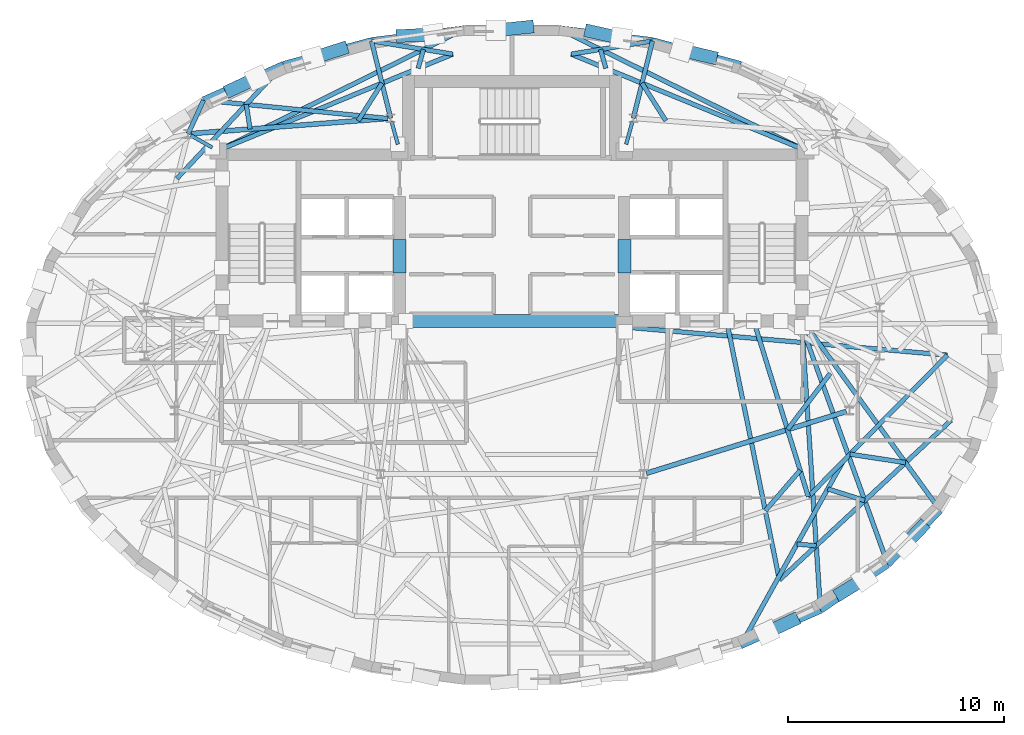
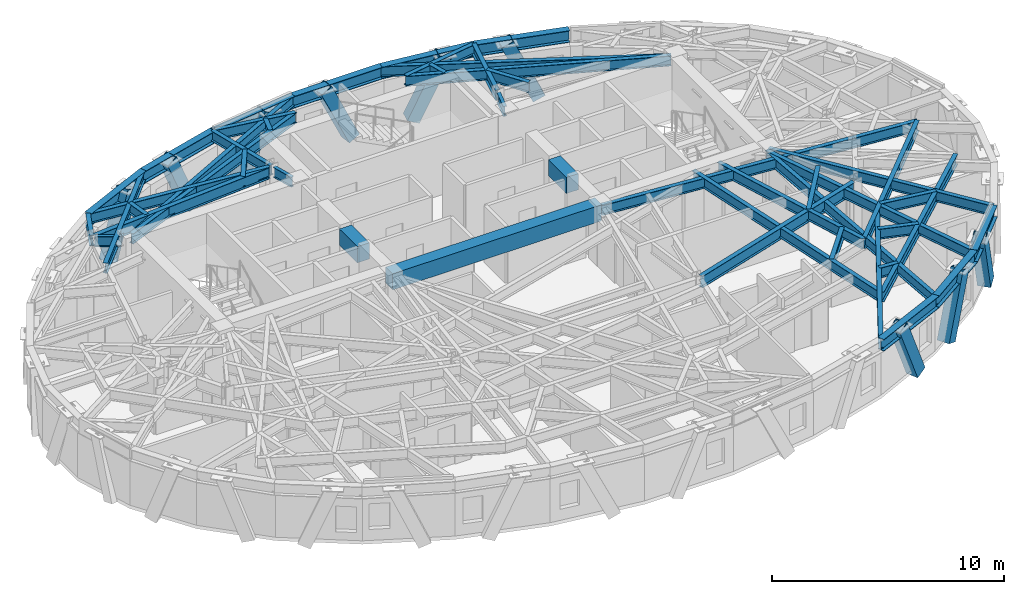
# One storey, part 3 of 12: 47 beams, 9 members.
"""IFC4 building model written with IfcOpenShell, lengths in metres."""

import ifcopenshell
import ifcopenshell.guid

model = None  # the IFC model being written
_history = None  # IfcOwnerHistory: only IFC2X3 demands one
_inside = {}  # id of a spatial element -> (the spatial element, [elements in it])
_under = {}  # id of a project, library or spatial element -> (it, [spatial elements below it])
_declared = {}  # id of a project -> (the project, [libraries it declares])
_typed = {}  # id of a type object -> (the type object, [elements of that type])
_made_of = {}  # id of a material, layer set ... -> (it, [elements and type objects made of it])


def new_model(schema):
    """Start an empty IFC model of exactly this schema.

    Asked for "IFC4X3", IfcOpenShell would pick the latest addendum, in which some entities
    have other attributes; the version numbers below select the first issue.
    IFC2X3 requires an IfcOwnerHistory on every rooted entity: one is made here for all.
    """
    global model, _history
    if schema == "IFC4X3":
        model = ifcopenshell.file(schema_version=(4, 3, 0, 0))
    else:
        model = ifcopenshell.file(schema=schema)
    _inside.clear()
    _under.clear()
    _declared.clear()
    _typed.clear()
    _made_of.clear()
    _history = None
    if model.schema == "IFC2X3":
        org = make("IfcOrganization", Name="unknown")
        user = make(
            "IfcPersonAndOrganization",
            ThePerson=make("IfcPerson", FamilyName="unknown"),
            TheOrganization=org,
        )
        app = make(
            "IfcApplication",
            ApplicationDeveloper=org,
            Version="unknown",
            ApplicationFullName="unknown",
            ApplicationIdentifier="unknown",
        )
        _history = make(
            "IfcOwnerHistory",
            OwningUser=user,
            OwningApplication=app,
            ChangeAction="ADDED",
            CreationDate=0,
        )
    return model


def make(cls, **values):
    """One entity of the class cls with the attributes given. An attribute that is None is left unset."""
    return model.create_entity(
        cls, **{name: value for name, value in values.items() if value is not None}
    )


def rooted(cls, **values):
    """An entity with a GlobalId (a new one), such as an element, a storey or a relation."""
    return make(cls, GlobalId=ifcopenshell.guid.new(), OwnerHistory=_history, **values)


def si_unit(unit_type, name, prefix=None):
    """IfcSIUnit, for example si_unit("LENGTHUNIT", "METRE", prefix="MILLI")."""
    return make("IfcSIUnit", UnitType=unit_type, Prefix=prefix, Name=name)


def assignment(units):
    """IfcUnitAssignment: the units of a project."""
    return None if units is None else make("IfcUnitAssignment", Units=units)


def point(xyz):
    """IfcCartesianPoint."""
    return None if xyz is None else make("IfcCartesianPoint", Coordinates=xyz)


def direction(xyz):
    """IfcDirection."""
    return None if xyz is None else make("IfcDirection", DirectionRatios=xyz)


def frame(location, z_axis=None, x_axis=None):
    """IfcAxis2Placement3D, a coordinate frame: its origin and axes. An axis left out is left unset."""
    return make(
        "IfcAxis2Placement3D",
        Location=point(location),
        Axis=direction(z_axis),
        RefDirection=direction(x_axis),
    )


def frame_2d(location, x_axis=None):
    """IfcAxis2Placement2D, a coordinate frame in the plane: its origin and x axis."""
    return make(
        "IfcAxis2Placement2D", Location=point(location), RefDirection=direction(x_axis)
    )


def origin():
    """The frame at (0, 0, 0) with its axes left unset."""
    return frame((0.0, 0.0, 0.0))


def origin_2d():
    """The frame at (0, 0) in the plane with its x axis left unset."""
    return frame_2d((0.0, 0.0))


def place(relative_to, where):
    """IfcLocalPlacement: puts the frame where relative to a parent placement (None: the world)."""
    return make(
        "IfcLocalPlacement", PlacementRelTo=relative_to, RelativePlacement=where
    )


def context(
    kind, dimensions, precision=None, world=None, true_north=None, identifier=None
):
    """IfcGeometricRepresentationContext, for example the 3D "Model" context."""
    return make(
        "IfcGeometricRepresentationContext",
        ContextIdentifier=identifier,
        ContextType=kind,
        CoordinateSpaceDimension=dimensions,
        Precision=precision,
        WorldCoordinateSystem=world,
        TrueNorth=true_north,
    )


def subcontext(parent, identifier, kind, view, scale=None):
    """IfcGeometricRepresentationSubContext, for example "Body" below "Model"."""
    return make(
        "IfcGeometricRepresentationSubContext",
        ContextIdentifier=identifier,
        ContextType=kind,
        ParentContext=parent,
        TargetScale=scale,
        TargetView=view,
    )


def project(units=None, contexts=None):
    """IfcProject with its units and contexts."""
    return rooted(
        "IfcProject",
        Name="project",
        RepresentationContexts=contexts,
        UnitsInContext=assignment(units),
    )


def spatial(cls, under=None, at=None, **own):
    """A site, building, storey or space (cls), placed at a placement, below another one or the project."""
    s = rooted(cls, ObjectPlacement=at, **own)
    if under is not None:
        _under.setdefault(under.id(), (under, []))[1].append(s)
    return s


def profile(cls, at=None, kind="AREA", **sizes):
    """A parametric profile (cls). Its sizes go by their IFC names, for example OverallWidth=200.0."""
    return make(cls, ProfileType=kind, Position=at, **sizes)


def rectangle(**sizes):
    """IfcRectangleProfileDef."""
    return profile("IfcRectangleProfileDef", **sizes)


def hollow_rectangle(**sizes):
    """IfcRectangleHollowProfileDef."""
    return profile("IfcRectangleHollowProfileDef", **sizes)


def i_section(**sizes):
    """IfcIShapeProfileDef."""
    return profile("IfcIShapeProfileDef", **sizes)


def extrude(swept, where, along, depth):
    """IfcExtrudedAreaSolid: the profile swept, set in the frame where, extruded along a direction by depth."""
    return make(
        "IfcExtrudedAreaSolid",
        SweptArea=swept,
        Position=where,
        ExtrudedDirection=direction(along),
        Depth=depth,
    )


def shape(context_of_items, identifier, shape_type, items):
    """IfcShapeRepresentation: the items that make up one representation, for example the "Body"."""
    return make(
        "IfcShapeRepresentation",
        ContextOfItems=context_of_items,
        RepresentationIdentifier=identifier,
        RepresentationType=shape_type,
        Items=items,
    )


def material(Name=None, Category=None):
    """IfcMaterial."""
    return make("IfcMaterial", Name=Name, Category=Category)


def material_profile(
    of_material, cross_section, Name=None, Category=None, Priority=None
):
    """IfcMaterialProfile: a cross section and its material."""
    return make(
        "IfcMaterialProfile",
        Name=Name,
        Material=of_material,
        Profile=cross_section,
        Priority=Priority,
        Category=Category,
    )


def profile_set(profiles, Name=None, composite=None):
    """IfcMaterialProfileSet."""
    return make(
        "IfcMaterialProfileSet",
        Name=Name,
        MaterialProfiles=profiles,
        CompositeProfile=composite,
    )


def made_of(thing, what):
    """Note that an element or type object is made of a material, layer set ...; save() writes the relation."""
    if what is not None:
        _made_of.setdefault(what.id(), (what, []))[1].append(thing)
    return thing


def type_object(cls, material=None, **own):
    """A type object (cls), such as IfcWallType, which elements share."""
    return made_of(rooted(cls, **own), material)


def element(
    cls,
    number,
    at=None,
    inside=None,
    cuts=None,
    type_object=None,
    material=None,
    context=None,
    identifier="Body",
    shape_type=None,
    held_by="IfcProductDefinitionShape",
    body=None,
    shapes=None,
    **own,
):
    """One element of the class cls, such as IfcWall. Its Tag is "e" and its number.

    at: its placement. inside: the storey or other place that contains it. cuts: it is an
    opening in that element (IfcRelVoidsElement). A single representation is given by context,
    identifier, shape_type and body (its items); several are given by shapes. held_by: the class
    of the entity that holds the representations. save() writes the other relations.
    """
    e = rooted(cls, Tag="e%d" % number, ObjectPlacement=at, **own)
    if body is not None:
        shapes = [shape(context, identifier, shape_type, body)]
    if shapes is not None:
        e.Representation = make(held_by, Representations=shapes)
    if inside is not None:
        _inside.setdefault(inside.id(), (inside, []))[1].append(e)
    if cuts is not None:
        rooted(
            "IfcRelVoidsElement", RelatingBuildingElement=cuts, RelatedOpeningElement=e
        )
    if type_object is not None:
        _typed.setdefault(type_object.id(), (type_object, []))[1].append(e)
    return made_of(e, material)


def aggregate(whole, parts):
    """IfcRelAggregates: a whole, such as a stair, and the parts it consists of."""
    return rooted("IfcRelAggregates", RelatingObject=whole, RelatedObjects=parts)


def save(model, path):
    """Write the relations noted so far, then the file.

    IfcRelAggregates (storeys below a building ...), IfcRelContainedInSpatialStructure (elements
    in a storey), IfcRelDefinesByType, IfcRelAssociatesMaterial and IfcRelDeclares: one each for
    every whole, place, type object, material and project.
    """
    for whole, parts in _under.values():
        aggregate(whole, parts)
    for where, things in _inside.values():
        rooted(
            "IfcRelContainedInSpatialStructure",
            RelatedElements=things,
            RelatingStructure=where,
        )
    for kind, things in _typed.values():
        rooted("IfcRelDefinesByType", RelatedObjects=things, RelatingType=kind)
    for what, things in _made_of.values():
        rooted("IfcRelAssociatesMaterial", RelatedObjects=things, RelatingMaterial=what)
    for by, libraries in _declared.values():
        rooted("IfcRelDeclares", RelatingContext=by, RelatedDefinitions=libraries)
    model.write(path)


model = new_model("IFC4")

# Units and contexts
model_context = context("Model", 3, precision=1e-05, world=origin(), true_north=direction((0.0, 1.0)))
body_context = subcontext(model_context, "Body", "Model", "MODEL_VIEW")
ifc_project = project(units=[si_unit("LENGTHUNIT", "METRE"), si_unit("AREAUNIT", "SQUARE_METRE"), si_unit("VOLUMEUNIT", "CUBIC_METRE"), si_unit("PLANEANGLEUNIT", "RADIAN"), si_unit("MASSUNIT", "GRAM", prefix="KILO")], contexts=[model_context])

# Site, building, storey
site_placement = place(None, origin())
site = spatial("IfcSite", under=ifc_project, at=site_placement, CompositionType="ELEMENT")
building_placement = place(site_placement, origin())
building = spatial("IfcBuilding", under=site, at=building_placement, Name="Keldmark Tower", CompositionType="ELEMENT")
storey_placement = place(building_placement, frame((0.0, 0.0, 228.89990234375)))
storey = spatial("IfcBuildingStorey", under=building, at=storey_placement, Name="L64", CompositionType="ELEMENT", Elevation=228.89990234375)

# Beams
ifc_material_1 = material(Name="Concrete C50/60", Category="concrete")
ifc_material_profile_1 = material_profile(ifc_material_1, rectangle(XDim=0.60009765625, YDim=0.85009765625, at=origin_2d()), Name="RCB600X850")
ifc_profile_set_1 = profile_set([ifc_material_profile_1], Name="Concrete C50/60")
beam_type_1 = type_object("IfcBeamType", Name="Core Coupling Beam RCB600X850", PredefinedType="USERDEFINED", material=ifc_profile_set_1)
for number, where, z_axis, x_axis, name in (
    (1, (-5.199951171875, 3.800048828125, 2.545166015625), (0.0, 1.0, 0.0), (-1.0, 0.0, 0.0), "L64 West Core Coupling Beam"),
    (2, (5.199951171875, 3.800048828125, 2.545166015625), (0.0, 1.0, 0.0), (-1.0, 0.0, 0.0), "L64 East Core Coupling Beam"),
):
    element("IfcBeam", number, at=place(storey_placement, frame(where, z_axis=z_axis, x_axis=x_axis)), inside=storey, type_object=beam_type_1, Name=name, ObjectType="COUPLING BEAM", PredefinedType="USERDEFINED", context=body_context, shape_type="SweptSolid", body=[
        extrude(rectangle(XDim=0.60009765625, YDim=0.85009765625, at=origin_2d()), origin(), (0.0, 0.0, 1.0), 1.550048828125),
    ])
beam_1_placement = place(storey_placement, frame((-5.199951171875, 1.574951171875, 2.545166015625), z_axis=(1.0, 0.0, 0.0), x_axis=(0.0, 1.0, 0.0)))
element("IfcBeam", 3, at=beam_1_placement, inside=storey, type_object=beam_type_1, Name="L64 Central South Core Coupling Beam", ObjectType="COUPLING BEAM", PredefinedType="USERDEFINED", context=body_context, shape_type="SweptSolid", body=[
    extrude(rectangle(XDim=0.60009765625, YDim=0.85009765625, at=origin_2d()), origin(), (0.0, 0.0, 1.0), 10.39990234375),
])

# Members
ifc_material_2 = material(Name="Steel ASTM A572 Grade 50", Category="steel")
ifc_material_profile_2 = material_profile(ifc_material_2, hollow_rectangle(XDim=0.60009765625, YDim=0.60009765625, WallThickness=0.034912109375, at=origin_2d()), Name="BOX600X600X35")
ifc_profile_set_2 = profile_set([ifc_material_profile_2], Name="Steel ASTM A572 Grade 50")
member_type = type_object("IfcMemberType", Name="Diagrid Zone 4 Brace BOX600X600X35", PredefinedType="BRACE", material=ifc_profile_set_2)
member_1_placement = place(storey_placement, frame((9.2216796875, 13.79248046875, -0.260009765625), z_axis=(-0.40426064735, 0.096388533014, 0.909550757081), x_axis=(-0.231930198238, -0.972732431425, 0.0)))
element("IfcMember", 4, at=member_1_placement, inside=storey, type_object=member_type, Name="L64 Perimeter Diagrid Brace 03B", PredefinedType="BRACE", context=body_context, shape_type="SweptSolid", body=[
    extrude(hollow_rectangle(XDim=0.60009765625, YDim=0.60009765625, WallThickness=0.034912109375, at=origin_2d()), origin(), (0.0, 0.0, 1.0), 3.41943359375),
])
member_2_placement = place(storey_placement, frame((3.640869140625, 14.9853515625, -0.260009765625), z_axis=(0.411077527519, -0.091983402417, 0.906947804479), x_axis=(0.218361844717, 0.975867872599, 0.0)))
element("IfcMember", 5, at=member_2_placement, inside=storey, type_object=member_type, Name="L64 Perimeter Diagrid Brace 04A", PredefinedType="BRACE", context=body_context, shape_type="SweptSolid", body=[
    extrude(hollow_rectangle(XDim=0.60009765625, YDim=0.60009765625, WallThickness=0.034912109375, at=origin_2d()), origin(), (0.0, 0.0, 1.0), 3.42919921875),
])
member_3_placement = place(storey_placement, frame((0.732421875, 15.18798828125, -0.260009765625), z_axis=(-0.426722319546, -0.044388197414, 0.903292726602), x_axis=(0.103463018698, -0.994633301153, 0.0)))
element("IfcMember", 6, at=member_3_placement, inside=storey, type_object=member_type, Name="L64 Perimeter Diagrid Brace 04B", PredefinedType="BRACE", context=body_context, shape_type="SweptSolid", body=[
    extrude(hollow_rectangle(XDim=0.60009765625, YDim=0.60009765625, WallThickness=0.034912109375, at=origin_2d()), origin(), (0.0, 0.0, 1.0), 3.443115234375),
])
member_4_placement = place(storey_placement, frame((-5.095947265625, 14.778076171875, -0.260009765625), z_axis=(0.427626468475, 0.021282007389, 0.903704973773), x_axis=(-0.049706231649, 0.998763881273, 0.0)))
element("IfcMember", 7, at=member_4_placement, inside=storey, type_object=member_type, Name="L64 Perimeter Diagrid Brace 05A", PredefinedType="BRACE", context=body_context, shape_type="SweptSolid", body=[
    extrude(hollow_rectangle(XDim=0.60009765625, YDim=0.60009765625, WallThickness=0.034912109375, at=origin_2d()), origin(), (0.0, 0.0, 1.0), 3.44140625),
])
member_5_placement = place(storey_placement, frame((-7.88037109375, 14.181884765625, -0.260009765625), z_axis=(-0.390454269369, -0.126978162028, 0.911823453252), x_axis=(0.30926345309, -0.950976401696, 0.0)))
element("IfcMember", 8, at=member_5_placement, inside=storey, type_object=member_type, Name="L64 Perimeter Diagrid Brace 05B", PredefinedType="BRACE", context=body_context, shape_type="SweptSolid", body=[
    extrude(hollow_rectangle(XDim=0.60009765625, YDim=0.60009765625, WallThickness=0.034912109375, at=origin_2d()), origin(), (0.0, 0.0, 1.0), 3.410888671875),
])
for number, where, z_axis, x_axis, name in (
    (9, (-12.999267578125, 12.275634765625, -0.260009765625), (0.356439110668, 0.166564378907, 0.919351656367), (-0.423357373066, 0.905962766713, 0.0), "L64 Perimeter Diagrid Brace 06A"),
    (10, (12.999267578125, -12.275634765625, -0.260009765625), (-0.356439110668, -0.166564378907, 0.919351656367), (0.423357373066, -0.905962766713, 0.0), "L64 Perimeter Diagrid Brace 14A"),
):
    element("IfcMember", number, at=place(storey_placement, frame(where, z_axis=z_axis, x_axis=x_axis)), inside=storey, type_object=member_type, Name=name, PredefinedType="BRACE", context=body_context, shape_type="SweptSolid", body=[
        extrude(hollow_rectangle(XDim=0.60009765625, YDim=0.60009765625, WallThickness=0.034912109375, at=origin_2d()), origin(), (0.0, 0.0, 1.0), 3.383056640625),
    ])
member_6_placement = place(storey_placement, frame((15.2392578125, -11.017333984375, -0.260009765625), z_axis=(0.322779112881, 0.200202927832, 0.925058069515), x_axis=(-0.527091568358, 0.849808495231, 0.0)))
element("IfcMember", 11, at=member_6_placement, inside=storey, type_object=member_type, Name="L64 Perimeter Diagrid Brace 14B", PredefinedType="BRACE", context=body_context, shape_type="SweptSolid", body=[
    extrude(hollow_rectangle(XDim=0.60009765625, YDim=0.60009765625, WallThickness=0.034912109375, at=origin_2d()), origin(), (0.0, 0.0, 1.0), 3.362060546875),
])
member_7_placement = place(storey_placement, frame((18.96142578125, -7.974365234375, -0.260009765625), z_axis=(-0.241254910751, -0.252655676351, 0.936995825629), x_axis=(0.72323603249, -0.690600927676, 0.0)))
element("IfcMember", 12, at=member_7_placement, inside=storey, type_object=member_type, Name="L64 Perimeter Diagrid Brace 15A", PredefinedType="BRACE", context=body_context, shape_type="SweptSolid", body=[
    extrude(hollow_rectangle(XDim=0.60009765625, YDim=0.60009765625, WallThickness=0.034912109375, at=origin_2d()), origin(), (0.0, 0.0, 1.0), 3.3193359375),
])

# Beams
ifc_material_3 = material(Name="Steel ASTM A992 Grade 50", Category="steel")
ifc_material_profile_3 = material_profile(ifc_material_3, i_section(OverallWidth=0.22802734375, OverallDepth=0.60302734375, WebThickness=0.010498046875, FlangeThickness=0.014892578125, at=origin_2d()), Name="W24X68")
ifc_profile_set_3 = profile_set([ifc_material_profile_3], Name="Steel ASTM A992 Grade 50")
beam_type_2 = type_object("IfcBeamType", Name="Primary Floor Girder W24X68", PredefinedType="BEAM", material=ifc_profile_set_3)
beam_2_placement = place(storey_placement, frame((-5.75830078125, 10.956298828125, 2.668701171875), z_axis=(-0.997037147832, -0.076921556421, 0.0), x_axis=(0.076921556421, -0.997037147832, 0.0)))
element("IfcBeam", 13, at=beam_2_placement, inside=storey, type_object=beam_type_2, Name="L64 Floor Ring Girder FG-R04", PredefinedType="BEAM", context=body_context, shape_type="SweptSolid", body=[
    extrude(i_section(OverallWidth=0.22802734375, OverallDepth=0.60302734375, WebThickness=0.010498046875, FlangeThickness=0.014892578125, at=origin_2d()), origin(), (0.0, 0.0, 1.0), 9.125),
])
beam_3_placement = place(storey_placement, frame((6.223388671875, -5.471435546875, 2.668701171875), z_axis=(0.955383255089, 0.295368982622, 0.0), x_axis=(-0.295368982622, 0.955383255089, 0.0)))
element("IfcBeam", 14, at=beam_3_placement, inside=storey, type_object=beam_type_2, Name="L64 Floor Ring Girder FG-R10", PredefinedType="BEAM", context=body_context, shape_type="SweptSolid", body=[
    extrude(i_section(OverallWidth=0.22802734375, OverallDepth=0.60302734375, WebThickness=0.010498046875, FlangeThickness=0.014892578125, at=origin_2d()), origin(), (0.0, 0.0, 1.0), 9.69140625),
])
ifc_material_4 = material(Name="Steel ASTM A992 Grade 50", Category="steel")
ifc_material_profile_4 = material_profile(ifc_material_4, i_section(OverallWidth=0.166015625, OverallDepth=0.529052734375, WebThickness=0.009765625, FlangeThickness=0.013671875, at=origin_2d()), Name="W21X50")
ifc_profile_set_4 = profile_set([ifc_material_profile_4], Name="Steel ASTM A992 Grade 50")
beam_type_3 = type_object("IfcBeamType", Name="Radial Tie Girder W21X50", PredefinedType="BEAM", material=ifc_profile_set_4)
for number, where, z_axis, x_axis, name in (
    (15, (5.581298828125, 10.83203125, 2.70556640625), (-0.265936023434, -0.963990680163, 0.0), (0.963990680163, -0.265936023434, 0.0), "L64 Floor Radial Girder FG-C03"),
    (16, (-5.581298828125, 10.83203125, 2.70556640625), (0.265936023434, -0.963990680163, 0.0), (0.963990680163, 0.265936023434, 0.0), "L64 Floor Radial Girder FG-C04"),
):
    element("IfcBeam", number, at=place(storey_placement, frame(where, z_axis=z_axis, x_axis=x_axis)), inside=storey, type_object=beam_type_3, Name=name, PredefinedType="BEAM", context=body_context, shape_type="SweptSolid", body=[
        extrude(i_section(OverallWidth=0.166015625, OverallDepth=0.529052734375, WebThickness=0.009765625, FlangeThickness=0.013671875, at=origin_2d()), origin(), (0.0, 0.0, 1.0), 1.113525390625),
    ])
beam_4_placement = place(storey_placement, frame((-14.8740234375, 10.174560546875, 2.70556640625), z_axis=(0.869238046195, -0.494393789451, 0.0), x_axis=(0.494393789451, 0.869238046195, 0.0)))
element("IfcBeam", 17, at=beam_4_placement, inside=storey, type_object=beam_type_3, Name="L64 Floor Radial Girder FG-C05", PredefinedType="BEAM", context=body_context, shape_type="SweptSolid", body=[
    extrude(i_section(OverallWidth=0.166015625, OverallDepth=0.529052734375, WebThickness=0.009765625, FlangeThickness=0.013671875, at=origin_2d()), origin(), (0.0, 0.0, 1.0), 1.145751953125),
])
ifc_material_5 = material(Name="Steel ASTM A992 Grade 50", Category="steel")
ifc_material_profile_5 = material_profile(ifc_material_5, i_section(OverallWidth=0.2099609375, OverallDepth=0.537109375, WebThickness=0.010986328125, FlangeThickness=0.017333984375, at=origin_2d()), Name="W21X68")
ifc_profile_set_5 = profile_set([ifc_material_profile_5], Name="Steel ASTM A992 Grade 50")
beam_type_4 = type_object("IfcBeamType", Name="Radial Tie Girder W21X68", PredefinedType="BEAM", material=ifc_profile_set_5)
beam_5_placement = place(storey_placement, frame((14.7392578125, -0.841796875, 2.70166015625), z_axis=(-0.605122917329, -0.796132058721, 0.0), x_axis=(0.796132058721, -0.605122917329, 0.0)))
element("IfcBeam", 18, at=beam_5_placement, inside=storey, type_object=beam_type_4, Name="L64 Framing Pin Header PH-005", PredefinedType="BEAM", context=body_context, shape_type="SweptSolid", body=[
    extrude(i_section(OverallWidth=0.2099609375, OverallDepth=0.537109375, WebThickness=0.010986328125, FlangeThickness=0.017333984375, at=origin_2d()), origin(), (0.0, 0.0, 1.0), 3.278564453125),
])
beam_6_placement = place(storey_placement, frame((11.19287109375, 1.574951171875, 2.70166015625), z_axis=(0.296814974353, -0.954935008783, 0.0), x_axis=(0.954935008783, 0.296814974353, 0.0)))
element("IfcBeam", 19, at=beam_6_placement, inside=storey, type_object=beam_type_4, Name="L64 Sub-Ring Step Girder STP1-M11", PredefinedType="BEAM", context=body_context, shape_type="SweptSolid", body=[
    extrude(i_section(OverallWidth=0.2099609375, OverallDepth=0.537109375, WebThickness=0.010986328125, FlangeThickness=0.017333984375, at=origin_2d()), origin(), (0.0, 0.0, 1.0), 8.51416015625),
])
beam_7_placement = place(storey_placement, frame((5.199951171875, 1.300048828125, 2.70166015625), z_axis=(0.996235095365, -0.086692760734, 0.0), x_axis=(0.086692760734, 0.996235095365, 0.0)))
element("IfcBeam", 20, at=beam_7_placement, inside=storey, type_object=beam_type_4, Name="L64 Sub-Ring Step Girder STP1-M12", PredefinedType="BEAM", context=body_context, shape_type="SweptSolid", body=[
    extrude(i_section(OverallWidth=0.2099609375, OverallDepth=0.537109375, WebThickness=0.010986328125, FlangeThickness=0.017333984375, at=origin_2d()), origin(), (0.0, 0.0, 1.0), 15.015869140625),
])
beam_8_placement = place(storey_placement, frame((13.719970703125, -6.555419921875, 2.70166015625), z_axis=(0.700848087861, 0.713310561916, 0.0), x_axis=(-0.713310561916, 0.700848087861, 0.0)))
element("IfcBeam", 21, at=beam_8_placement, inside=storey, type_object=beam_type_4, Name="L64 Perimeter Collector Ring Beam CRG1-M11", PredefinedType="BEAM", context=body_context, shape_type="SweptSolid", body=[
    extrude(i_section(OverallWidth=0.2099609375, OverallDepth=0.537109375, WebThickness=0.010986328125, FlangeThickness=0.017333984375, at=origin_2d()), origin(), (0.0, 0.0, 1.0), 9.187744140625),
])
beam_9_placement = place(storey_placement, frame((13.3408203125, -5.3359375, 2.70166015625), z_axis=(-0.652579874931, -0.757719939578, 0.0), x_axis=(0.757719939578, -0.652579874931, 0.0)))
element("IfcBeam", 22, at=beam_9_placement, inside=storey, type_object=beam_type_4, Name="L64 Framing Pin Header PH-011", PredefinedType="BEAM", context=body_context, shape_type="SweptSolid", body=[
    extrude(i_section(OverallWidth=0.2099609375, OverallDepth=0.537109375, WebThickness=0.010986328125, FlangeThickness=0.017333984375, at=origin_2d()), origin(), (0.0, 0.0, 1.0), 2.470703125),
])
beam_10_placement = place(storey_placement, frame((9.939208984375, 1.574951171875, 2.70166015625), z_axis=(0.199618319072, -0.979873729973, 0.0), x_axis=(0.979873729973, 0.199618319072, 0.0)))
element("IfcBeam", 23, at=beam_10_placement, inside=storey, type_object=beam_type_4, Name="L64 Sub-Ring Step Girder STP2-M11", PredefinedType="BEAM", context=body_context, shape_type="SweptSolid", body=[
    extrude(i_section(OverallWidth=0.2099609375, OverallDepth=0.537109375, WebThickness=0.010986328125, FlangeThickness=0.017333984375, at=origin_2d()), origin(), (0.0, 0.0, 1.0), 12.2353515625),
])
beam_11_placement = place(storey_placement, frame((12.381591796875, -10.4140625, 2.70166015625), z_axis=(0.732109780168, 0.681186662951, 0.0), x_axis=(-0.681186662951, 0.732109780168, 0.0)))
element("IfcBeam", 24, at=beam_11_placement, inside=storey, type_object=beam_type_4, Name="L64 Perimeter Collector Ring Beam CRG2-M11", PredefinedType="BEAM", context=body_context, shape_type="SweptSolid", body=[
    extrude(i_section(OverallWidth=0.2099609375, OverallDepth=0.537109375, WebThickness=0.010986328125, FlangeThickness=0.017333984375, at=origin_2d()), origin(), (0.0, 0.0, 1.0), 10.854248046875),
])
for number, where, z_axis, x_axis, name in (
    (25, (5.61865234375, 10.967041015625, 2.70166015625), (0.240695705032, 0.97060062723, 0.0), (-0.97060062723, 0.240695705032, 0.0), "L64 Perimeter Column Bracket RT-07"),
    (26, (-5.61865234375, 10.967041015625, 2.70166015625), (-0.240695705032, 0.97060062723, 0.0), (-0.97060062723, -0.240695705032, 0.0), "L64 Perimeter Column Bracket RT-10"),
):
    element("IfcBeam", number, at=place(storey_placement, frame(where, z_axis=z_axis, x_axis=x_axis)), inside=storey, type_object=beam_type_4, Name=name, PredefinedType="BEAM", context=body_context, shape_type="SweptSolid", body=[
        extrude(i_section(OverallWidth=0.2099609375, OverallDepth=0.537109375, WebThickness=0.010986328125, FlangeThickness=0.017333984375, at=origin_2d()), origin(), (0.0, 0.0, 1.0), 3.68505859375),
    ])
beam_12_placement = place(storey_placement, frame((-14.995849609375, 10.24365234375, 2.70166015625), z_axis=(0.41658112368, 0.90909854658, 0.0), x_axis=(-0.90909854658, 0.41658112368, 0.0)))
element("IfcBeam", 27, at=beam_12_placement, inside=storey, type_object=beam_type_4, Name="L64 Perimeter Column Bracket RT-12", PredefinedType="BEAM", context=body_context, shape_type="SweptSolid", body=[
    extrude(i_section(OverallWidth=0.2099609375, OverallDepth=0.537109375, WebThickness=0.010986328125, FlangeThickness=0.017333984375, at=origin_2d()), origin(), (0.0, 0.0, 1.0), 1.713623046875),
])
beam_13_placement = place(storey_placement, frame((15.329833984375, -4.9169921875, 2.70166015625), z_axis=(-0.486008591455, -0.873954031418, 0.0), x_axis=(0.873954031418, -0.486008591455, 0.0)))
element("IfcBeam", 28, at=beam_13_placement, inside=storey, type_object=beam_type_4, Name="L64 Perimeter Radial Tie Girder RT-27", PredefinedType="BEAM", context=body_context, shape_type="SweptSolid", body=[
    extrude(i_section(OverallWidth=0.2099609375, OverallDepth=0.537109375, WebThickness=0.010986328125, FlangeThickness=0.017333984375, at=origin_2d()), origin(), (0.0, 0.0, 1.0), 9.749267578125),
])
beam_14_placement = place(storey_placement, frame((13.197509765625, -8.751220703125, 2.70166015625), z_axis=(0.996402919898, -0.084742086466, 0.0), x_axis=(0.084742086466, 0.996402919898, 0.0)))
element("IfcBeam", 29, at=beam_14_placement, inside=storey, type_object=beam_type_4, Name="L64 Framing Pin Header PH-032", PredefinedType="BEAM", context=body_context, shape_type="SweptSolid", body=[
    extrude(i_section(OverallWidth=0.2099609375, OverallDepth=0.537109375, WebThickness=0.010986328125, FlangeThickness=0.017333984375, at=origin_2d()), origin(), (0.0, 0.0, 1.0), 0.89306640625),
])
beam_15_placement = place(storey_placement, frame((13.425048828125, 1.300048828125, 2.70166015625), z_axis=(0.065267516154, -0.997867802535, 0.0), x_axis=(0.997867802535, 0.065267516154, 0.0)))
element("IfcBeam", 30, at=beam_15_placement, inside=storey, type_object=beam_type_4, Name="L64 Perimeter Radial Tie Girder RT-28", PredefinedType="BEAM", context=body_context, shape_type="SweptSolid", body=[
    extrude(i_section(OverallWidth=0.2099609375, OverallDepth=0.537109375, WebThickness=0.010986328125, FlangeThickness=0.017333984375, at=origin_2d()), origin(), (0.0, 0.0, 1.0), 13.129638671875),
])
beam_16_placement = place(storey_placement, frame((14.619140625, -6.195068359375, 2.70166015625), z_axis=(0.95374048109, -0.300631160611, 0.0), x_axis=(0.300631160611, 0.95374048109, 0.0)))
element("IfcBeam", 31, at=beam_16_placement, inside=storey, type_object=beam_type_4, Name="L64 Framing Pin Header PH-033", PredefinedType="BEAM", context=body_context, shape_type="SweptSolid", body=[
    extrude(i_section(OverallWidth=0.2099609375, OverallDepth=0.537109375, WebThickness=0.010986328125, FlangeThickness=0.017333984375, at=origin_2d()), origin(), (0.0, 0.0, 1.0), 1.798828125),
])
beam_17_placement = place(storey_placement, frame((13.425048828125, 1.300048828125, 2.70166015625), z_axis=(0.340465928574, -0.940256853993, 0.0), x_axis=(0.940256853993, 0.340465928574, 0.0)))
element("IfcBeam", 32, at=beam_17_placement, inside=storey, type_object=beam_type_4, Name="L64 Perimeter Radial Tie Girder RT-29", PredefinedType="BEAM", context=body_context, shape_type="SweptSolid", body=[
    extrude(i_section(OverallWidth=0.2099609375, OverallDepth=0.537109375, WebThickness=0.010986328125, FlangeThickness=0.017333984375, at=origin_2d()), origin(), (0.0, 0.0, 1.0), 11.683349609375),
])
beam_18_placement = place(storey_placement, frame((15.65185546875, -4.58935546875, 2.70166015625), z_axis=(0.988581445885, -0.150687507289, 0.0), x_axis=(0.150687507289, 0.988581445885, 0.0)))
element("IfcBeam", 33, at=beam_18_placement, inside=storey, type_object=beam_type_4, Name="L64 Framing Pin Header PH-034", PredefinedType="BEAM", context=body_context, shape_type="SweptSolid", body=[
    extrude(i_section(OverallWidth=0.2099609375, OverallDepth=0.537109375, WebThickness=0.010986328125, FlangeThickness=0.017333984375, at=origin_2d()), origin(), (0.0, 0.0, 1.0), 2.598876953125),
])
beam_19_placement = place(storey_placement, frame((13.60009765625, 1.39990234375, 2.70166015625), z_axis=(0.586534828037, -0.809924006003, 0.0), x_axis=(0.809924006003, 0.586534828037, 0.0)))
element("IfcBeam", 34, at=beam_19_placement, inside=storey, type_object=beam_type_4, Name="L64 Perimeter Radial Tie Girder RT-30", PredefinedType="BEAM", context=body_context, shape_type="SweptSolid", body=[
    extrude(i_section(OverallWidth=0.2099609375, OverallDepth=0.537109375, WebThickness=0.010986328125, FlangeThickness=0.017333984375, at=origin_2d()), origin(), (0.0, 0.0, 1.0), 10.5966796875),
])
beam_20_placement = place(storey_placement, frame((7.122802734375, 10.85107421875, 2.70166015625), z_axis=(-0.535715424874, 0.844398592817, 0.0), x_axis=(-0.844398592817, -0.535715424874, 0.0)))
element("IfcBeam", 35, at=beam_20_placement, inside=storey, type_object=beam_type_4, Name="L64 Framing Pin Header PH-036", PredefinedType="BEAM", context=body_context, shape_type="SweptSolid", body=[
    extrude(i_section(OverallWidth=0.2099609375, OverallDepth=0.537109375, WebThickness=0.010986328125, FlangeThickness=0.017333984375, at=origin_2d()), origin(), (0.0, 0.0, 1.0), 2.05712890625),
])
beam_21_placement = place(storey_placement, frame((13.425048828125, 9.550048828125, 2.70166015625), z_axis=(-0.925150722608, 0.37959997426, 0.0), x_axis=(-0.37959997426, -0.925150722608, 0.0)))
element("IfcBeam", 36, at=beam_21_placement, inside=storey, type_object=beam_type_4, Name="L64 Crown Step Radial Girder RT-08RN2", PredefinedType="BEAM", context=body_context, shape_type="SweptSolid", body=[
    extrude(i_section(OverallWidth=0.2099609375, OverallDepth=0.537109375, WebThickness=0.010986328125, FlangeThickness=0.017333984375, at=origin_2d()), origin(), (0.0, 0.0, 1.0), 11.547119140625),
])
beam_22_placement = place(storey_placement, frame((2.7421875, 13.933349609375, 2.70166015625), z_axis=(0.987102743004, 0.160088021895, 0.0), x_axis=(-0.160088021895, 0.987102743004, 0.0)))
element("IfcBeam", 37, at=beam_22_placement, inside=storey, type_object=beam_type_4, Name="L64 Crown Step Collector Chord RT-08RP2", PredefinedType="BEAM", context=body_context, shape_type="SweptSolid", body=[
    extrude(i_section(OverallWidth=0.2099609375, OverallDepth=0.537109375, WebThickness=0.010986328125, FlangeThickness=0.017333984375, at=origin_2d()), origin(), (0.0, 0.0, 1.0), 3.8125),
])
beam_23_placement = place(storey_placement, frame((4.3447265625, 13.27587890625, 2.70166015625), z_axis=(-0.269301914722, 0.963055802499, 0.0), x_axis=(-0.963055802499, -0.269301914722, 0.0)))
element("IfcBeam", 38, at=beam_23_placement, inside=storey, type_object=beam_type_4, Name="L64 Framing Pin Header PH-037", PredefinedType="BEAM", context=body_context, shape_type="SweptSolid", body=[
    extrude(i_section(OverallWidth=0.2099609375, OverallDepth=0.537109375, WebThickness=0.010986328125, FlangeThickness=0.017333984375, at=origin_2d()), origin(), (0.0, 0.0, 1.0), 0.9111328125),
])
beam_24_placement = place(storey_placement, frame((13.425048828125, 9.550048828125, 2.70166015625), z_axis=(-0.896703580066, 0.442631550498, 0.0), x_axis=(-0.442631550498, -0.896703580066, 0.0)))
element("IfcBeam", 39, at=beam_24_placement, inside=storey, type_object=beam_type_4, Name="L64 Perimeter Radial Tie Girder RT-08R", PredefinedType="BEAM", context=body_context, shape_type="SweptSolid", body=[
    extrude(i_section(OverallWidth=0.2099609375, OverallDepth=0.537109375, WebThickness=0.010986328125, FlangeThickness=0.017333984375, at=origin_2d()), origin(), (0.0, 0.0, 1.0), 12.526611328125),
])
beam_25_placement = place(storey_placement, frame((-7.122802734375, 10.85107421875, 2.70166015625), z_axis=(0.535715424874, 0.844398592817, 0.0), x_axis=(-0.844398592817, 0.535715424874, 0.0)))
element("IfcBeam", 40, at=beam_25_placement, inside=storey, type_object=beam_type_4, Name="L64 Framing Pin Header PH-038", PredefinedType="BEAM", context=body_context, shape_type="SweptSolid", body=[
    extrude(i_section(OverallWidth=0.2099609375, OverallDepth=0.537109375, WebThickness=0.010986328125, FlangeThickness=0.017333984375, at=origin_2d()), origin(), (0.0, 0.0, 1.0), 2.05712890625),
])
beam_26_placement = place(storey_placement, frame((-13.425048828125, 9.550048828125, 2.70166015625), z_axis=(0.925150722608, 0.37959997426, 0.0), x_axis=(-0.37959997426, 0.925150722608, 0.0)))
element("IfcBeam", 41, at=beam_26_placement, inside=storey, type_object=beam_type_4, Name="L64 Crown Step Radial Girder RT-09RN1", PredefinedType="BEAM", context=body_context, shape_type="SweptSolid", body=[
    extrude(i_section(OverallWidth=0.2099609375, OverallDepth=0.537109375, WebThickness=0.010986328125, FlangeThickness=0.017333984375, at=origin_2d()), origin(), (0.0, 0.0, 1.0), 11.547119140625),
])
beam_27_placement = place(storey_placement, frame((-2.7421875, 13.933349609375, 2.70166015625), z_axis=(-0.987102743004, 0.160088021895, 0.0), x_axis=(-0.160088021895, -0.987102743004, 0.0)))
element("IfcBeam", 42, at=beam_27_placement, inside=storey, type_object=beam_type_4, Name="L64 Crown Step Collector Chord RT-09RP1", PredefinedType="BEAM", context=body_context, shape_type="SweptSolid", body=[
    extrude(i_section(OverallWidth=0.2099609375, OverallDepth=0.537109375, WebThickness=0.010986328125, FlangeThickness=0.017333984375, at=origin_2d()), origin(), (0.0, 0.0, 1.0), 3.8125),
])
beam_28_placement = place(storey_placement, frame((-4.3447265625, 13.27587890625, 2.70166015625), z_axis=(0.269301914722, 0.963055802499, 0.0), x_axis=(-0.963055802499, 0.269301914722, 0.0)))
element("IfcBeam", 43, at=beam_28_placement, inside=storey, type_object=beam_type_4, Name="L64 Framing Pin Header PH-039", PredefinedType="BEAM", context=body_context, shape_type="SweptSolid", body=[
    extrude(i_section(OverallWidth=0.2099609375, OverallDepth=0.537109375, WebThickness=0.010986328125, FlangeThickness=0.017333984375, at=origin_2d()), origin(), (0.0, 0.0, 1.0), 0.9111328125),
])
beam_29_placement = place(storey_placement, frame((-13.425048828125, 9.550048828125, 2.70166015625), z_axis=(0.896703580066, 0.442631550498, 0.0), x_axis=(-0.442631550498, 0.896703580066, 0.0)))
element("IfcBeam", 44, at=beam_29_placement, inside=storey, type_object=beam_type_4, Name="L64 Perimeter Radial Tie Girder RT-09R", PredefinedType="BEAM", context=body_context, shape_type="SweptSolid", body=[
    extrude(i_section(OverallWidth=0.2099609375, OverallDepth=0.537109375, WebThickness=0.010986328125, FlangeThickness=0.017333984375, at=origin_2d()), origin(), (0.0, 0.0, 1.0), 12.526611328125),
])
beam_30_placement = place(storey_placement, frame((-5.75830078125, 10.956298828125, 2.70166015625), z_axis=(-0.995119533099, 0.098676820198, 0.0), x_axis=(-0.098676820198, -0.995119533099, 0.0)))
element("IfcBeam", 45, at=beam_30_placement, inside=storey, type_object=beam_type_4, Name="L64 Straddling Support Chord RT-11RB", PredefinedType="BEAM", context=body_context, shape_type="SweptSolid", body=[
    extrude(i_section(OverallWidth=0.2099609375, OverallDepth=0.537109375, WebThickness=0.010986328125, FlangeThickness=0.017333984375, at=origin_2d()), origin(), (0.0, 0.0, 1.0), 8.5654296875),
])
beam_31_placement = place(storey_placement, frame((-12.126708984375, 10.465087890625, 2.70166015625), z_axis=(-0.154409142441, 0.988006992248, 0.0), x_axis=(-0.988006992248, -0.154409142441, 0.0)))
element("IfcBeam", 46, at=beam_31_placement, inside=storey, type_object=beam_type_4, Name="L64 Framing Pin Header PH-040", PredefinedType="BEAM", context=body_context, shape_type="SweptSolid", body=[
    extrude(i_section(OverallWidth=0.2099609375, OverallDepth=0.537109375, WebThickness=0.010986328125, FlangeThickness=0.017333984375, at=origin_2d()), origin(), (0.0, 0.0, 1.0), 1.154296875),
])
beam_32_placement = place(storey_placement, frame((-15.5205078125, 8.1669921875, 2.70166015625), z_axis=(0.683044789961, 0.730376488468, 0.0), x_axis=(-0.730376488468, 0.683044789961, 0.0)))
element("IfcBeam", 47, at=beam_32_placement, inside=storey, type_object=beam_type_4, Name="L64 Perimeter Radial Tie Girder RT-11R", PredefinedType="BEAM", context=body_context, shape_type="SweptSolid", body=[
    extrude(i_section(OverallWidth=0.2099609375, OverallDepth=0.537109375, WebThickness=0.010986328125, FlangeThickness=0.017333984375, at=origin_2d()), origin(), (0.0, 0.0, 1.0), 7.216064453125),
])
ifc_material_6 = material(Name="Steel ASTM A992 Grade 50", Category="steel")
ifc_material_profile_6 = material_profile(ifc_material_6, i_section(OverallWidth=0.326904296875, OverallDepth=0.6220703125, WebThickness=0.015380859375, FlangeThickness=0.0244140625, at=origin_2d()), Name="W24X131")
ifc_profile_set_6 = profile_set([ifc_material_profile_6], Name="Steel ASTM A992 Grade 50")
beam_type_5 = type_object("IfcBeamType", Name="Spandrel Ring Beam W24X131", PredefinedType="SPANDREL", material=ifc_profile_set_6)
beam_33_placement = place(storey_placement, frame((10.591552734375, 13.4375, 2.6591796875), z_axis=(-0.965250622562, 0.261325918429, 0.0), x_axis=(-0.261325918429, -0.965250622562, 0.0)))
element("IfcBeam", 48, at=beam_33_placement, inside=storey, type_object=beam_type_5, Name="L64 Perimeter Spandrel Ring Beam SRB-06", PredefinedType="SPANDREL", context=body_context, shape_type="SweptSolid", body=[
    extrude(i_section(OverallWidth=0.326904296875, OverallDepth=0.6220703125, WebThickness=0.015380859375, FlangeThickness=0.0244140625, at=origin_2d()), origin(), (0.0, 0.0, 1.0), 4.233154296875),
])
beam_34_placement = place(storey_placement, frame((6.505615234375, 14.543701171875, 2.6591796875), z_axis=(-0.991938221073, 0.126722395707, 0.0), x_axis=(-0.126722395707, -0.991938221073, 0.0)))
element("IfcBeam", 49, at=beam_34_placement, inside=storey, type_object=beam_type_5, Name="L64 Perimeter Spandrel Ring Beam SRB-07", PredefinedType="SPANDREL", context=body_context, shape_type="SweptSolid", body=[
    extrude(i_section(OverallWidth=0.326904296875, OverallDepth=0.6220703125, WebThickness=0.015380859375, FlangeThickness=0.0244140625, at=origin_2d()), origin(), (0.0, 0.0, 1.0), 4.348388671875),
])
beam_35_placement = place(storey_placement, frame((2.1923828125, 15.0947265625, 2.6591796875), z_axis=(-1.0, 0.0, 0.0), x_axis=(0.0, -1.0, 0.0)))
element("IfcBeam", 50, at=beam_35_placement, inside=storey, type_object=beam_type_5, Name="L64 Perimeter Spandrel Ring Beam SRB-08", PredefinedType="SPANDREL", context=body_context, shape_type="SweptSolid", body=[
    extrude(i_section(OverallWidth=0.326904296875, OverallDepth=0.6220703125, WebThickness=0.015380859375, FlangeThickness=0.0244140625, at=origin_2d()), origin(), (0.0, 0.0, 1.0), 4.384765625),
])
beam_36_placement = place(storey_placement, frame((-2.1923828125, 15.0947265625, 2.6591796875), z_axis=(-0.991938221073, -0.126722395707, 0.0), x_axis=(0.126722395707, -0.991938221073, 0.0)))
element("IfcBeam", 51, at=beam_36_placement, inside=storey, type_object=beam_type_5, Name="L64 Perimeter Spandrel Ring Beam SRB-09", PredefinedType="SPANDREL", context=body_context, shape_type="SweptSolid", body=[
    extrude(i_section(OverallWidth=0.326904296875, OverallDepth=0.6220703125, WebThickness=0.015380859375, FlangeThickness=0.0244140625, at=origin_2d()), origin(), (0.0, 0.0, 1.0), 4.348388671875),
])
beam_37_placement = place(storey_placement, frame((-6.505615234375, 14.543701171875, 2.6591796875), z_axis=(-0.965250622562, -0.261325918429, 0.0), x_axis=(0.261325918429, -0.965250622562, 0.0)))
element("IfcBeam", 52, at=beam_37_placement, inside=storey, type_object=beam_type_5, Name="L64 Perimeter Spandrel Ring Beam SRB-10", PredefinedType="SPANDREL", context=body_context, shape_type="SweptSolid", body=[
    extrude(i_section(OverallWidth=0.326904296875, OverallDepth=0.6220703125, WebThickness=0.015380859375, FlangeThickness=0.0244140625, at=origin_2d()), origin(), (0.0, 0.0, 1.0), 4.233154296875),
])
for number, where, z_axis, x_axis, name in (
    (53, (-10.591552734375, 13.4375, 2.6591796875), (-0.914197700285, -0.405268509501, 0.0), (0.405268509501, -0.914197700285, 0.0), "L64 Perimeter Spandrel Ring Beam SRB-11"),
    (54, (10.591552734375, -13.4375, 2.6591796875), (0.914197700285, 0.405268509501, 0.0), (-0.405268509501, 0.914197700285, 0.0), "L64 Perimeter Spandrel Ring Beam SRB-27"),
):
    element("IfcBeam", number, at=place(storey_placement, frame(where, z_axis=z_axis, x_axis=x_axis)), inside=storey, type_object=beam_type_5, Name=name, PredefinedType="SPANDREL", context=body_context, shape_type="SweptSolid", body=[
        extrude(i_section(OverallWidth=0.326904296875, OverallDepth=0.6220703125, WebThickness=0.015380859375, FlangeThickness=0.0244140625, at=origin_2d()), origin(), (0.0, 0.0, 1.0), 4.036865234375),
    ])
beam_38_placement = place(storey_placement, frame((14.281982421875, -11.801513671875, 2.6591796875), z_axis=(0.827661601168, 0.561227470775, 0.0), x_axis=(-0.561227470775, 0.827661601168, 0.0)))
element("IfcBeam", 55, at=beam_38_placement, inside=storey, type_object=beam_type_5, Name="L64 Perimeter Spandrel Ring Beam SRB-28", PredefinedType="SPANDREL", context=body_context, shape_type="SweptSolid", body=[
    extrude(i_section(OverallWidth=0.326904296875, OverallDepth=0.6220703125, WebThickness=0.015380859375, FlangeThickness=0.0244140625, at=origin_2d()), origin(), (0.0, 0.0, 1.0), 3.770751953125),
])
beam_39_placement = place(storey_placement, frame((17.40283203125, -9.685302734375, 2.6591796875), z_axis=(0.694030285144, 0.71994580581, 0.0), x_axis=(-0.71994580581, 0.694030285144, 0.0)))
element("IfcBeam", 56, at=beam_39_placement, inside=storey, type_object=beam_type_5, Name="L64 Perimeter Spandrel Ring Beam SRB-29", PredefinedType="SPANDREL", context=body_context, shape_type="SweptSolid", body=[
    extrude(i_section(OverallWidth=0.326904296875, OverallDepth=0.6220703125, WebThickness=0.015380859375, FlangeThickness=0.0244140625, at=origin_2d()), origin(), (0.0, 0.0, 1.0), 3.476318359375),
])

save(model, "model.ifc")
